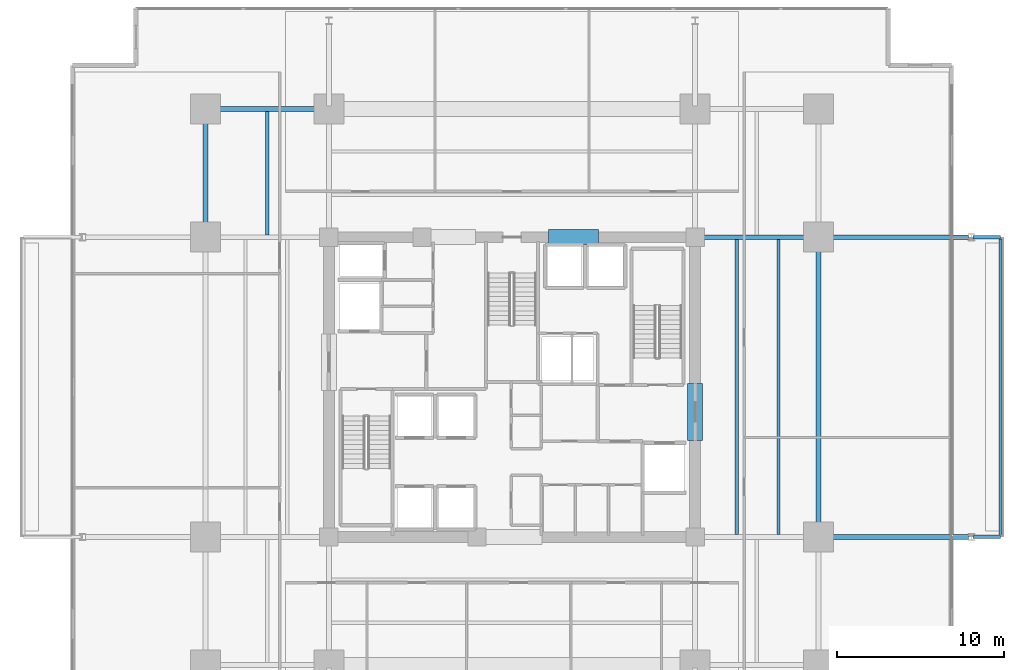
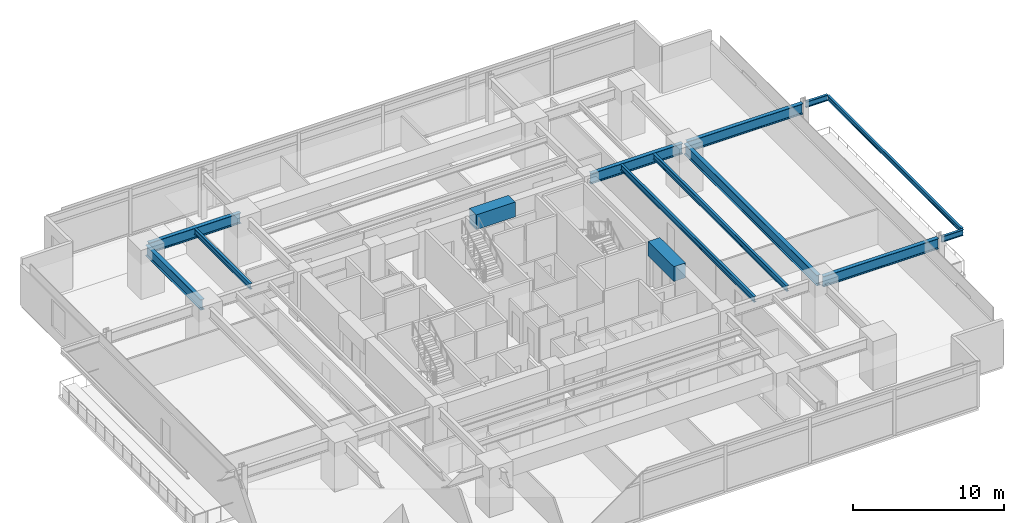
# One storey, part 8 of 22: 14 beams.
"""IFC4 building model written with IfcOpenShell, lengths in metres."""

import ifcopenshell
import ifcopenshell.guid

model = None  # the IFC model being written
_history = None  # IfcOwnerHistory: only IFC2X3 demands one
_inside = {}  # id of a spatial element -> (the spatial element, [elements in it])
_under = {}  # id of a project, library or spatial element -> (it, [spatial elements below it])
_declared = {}  # id of a project -> (the project, [libraries it declares])
_typed = {}  # id of a type object -> (the type object, [elements of that type])
_made_of = {}  # id of a material, layer set ... -> (it, [elements and type objects made of it])


def new_model(schema):
    """Start an empty IFC model of exactly this schema.

    Asked for "IFC4X3", IfcOpenShell would pick the latest addendum, in which some entities
    have other attributes; the version numbers below select the first issue.
    IFC2X3 requires an IfcOwnerHistory on every rooted entity: one is made here for all.
    """
    global model, _history
    if schema == "IFC4X3":
        model = ifcopenshell.file(schema_version=(4, 3, 0, 0))
    else:
        model = ifcopenshell.file(schema=schema)
    _inside.clear()
    _under.clear()
    _declared.clear()
    _typed.clear()
    _made_of.clear()
    _history = None
    if model.schema == "IFC2X3":
        org = make("IfcOrganization", Name="unknown")
        user = make(
            "IfcPersonAndOrganization",
            ThePerson=make("IfcPerson", FamilyName="unknown"),
            TheOrganization=org,
        )
        app = make(
            "IfcApplication",
            ApplicationDeveloper=org,
            Version="unknown",
            ApplicationFullName="unknown",
            ApplicationIdentifier="unknown",
        )
        _history = make(
            "IfcOwnerHistory",
            OwningUser=user,
            OwningApplication=app,
            ChangeAction="ADDED",
            CreationDate=0,
        )
    return model


def make(cls, **values):
    """One entity of the class cls with the attributes given. An attribute that is None is left unset."""
    return model.create_entity(
        cls, **{name: value for name, value in values.items() if value is not None}
    )


def rooted(cls, **values):
    """An entity with a GlobalId (a new one), such as an element, a storey or a relation."""
    return make(cls, GlobalId=ifcopenshell.guid.new(), OwnerHistory=_history, **values)


def si_unit(unit_type, name, prefix=None):
    """IfcSIUnit, for example si_unit("LENGTHUNIT", "METRE", prefix="MILLI")."""
    return make("IfcSIUnit", UnitType=unit_type, Prefix=prefix, Name=name)


def assignment(units):
    """IfcUnitAssignment: the units of a project."""
    return None if units is None else make("IfcUnitAssignment", Units=units)


def point(xyz):
    """IfcCartesianPoint."""
    return None if xyz is None else make("IfcCartesianPoint", Coordinates=xyz)


def direction(xyz):
    """IfcDirection."""
    return None if xyz is None else make("IfcDirection", DirectionRatios=xyz)


def frame(location, z_axis=None, x_axis=None):
    """IfcAxis2Placement3D, a coordinate frame: its origin and axes. An axis left out is left unset."""
    return make(
        "IfcAxis2Placement3D",
        Location=point(location),
        Axis=direction(z_axis),
        RefDirection=direction(x_axis),
    )


def frame_2d(location, x_axis=None):
    """IfcAxis2Placement2D, a coordinate frame in the plane: its origin and x axis."""
    return make(
        "IfcAxis2Placement2D", Location=point(location), RefDirection=direction(x_axis)
    )


def origin():
    """The frame at (0, 0, 0) with its axes left unset."""
    return frame((0.0, 0.0, 0.0))


def origin_2d():
    """The frame at (0, 0) in the plane with its x axis left unset."""
    return frame_2d((0.0, 0.0))


def place(relative_to, where):
    """IfcLocalPlacement: puts the frame where relative to a parent placement (None: the world)."""
    return make(
        "IfcLocalPlacement", PlacementRelTo=relative_to, RelativePlacement=where
    )


def context(
    kind, dimensions, precision=None, world=None, true_north=None, identifier=None
):
    """IfcGeometricRepresentationContext, for example the 3D "Model" context."""
    return make(
        "IfcGeometricRepresentationContext",
        ContextIdentifier=identifier,
        ContextType=kind,
        CoordinateSpaceDimension=dimensions,
        Precision=precision,
        WorldCoordinateSystem=world,
        TrueNorth=true_north,
    )


def subcontext(parent, identifier, kind, view, scale=None):
    """IfcGeometricRepresentationSubContext, for example "Body" below "Model"."""
    return make(
        "IfcGeometricRepresentationSubContext",
        ContextIdentifier=identifier,
        ContextType=kind,
        ParentContext=parent,
        TargetScale=scale,
        TargetView=view,
    )


def project(units=None, contexts=None):
    """IfcProject with its units and contexts."""
    return rooted(
        "IfcProject",
        Name="project",
        RepresentationContexts=contexts,
        UnitsInContext=assignment(units),
    )


def spatial(cls, under=None, at=None, **own):
    """A site, building, storey or space (cls), placed at a placement, below another one or the project."""
    s = rooted(cls, ObjectPlacement=at, **own)
    if under is not None:
        _under.setdefault(under.id(), (under, []))[1].append(s)
    return s


def profile(cls, at=None, kind="AREA", **sizes):
    """A parametric profile (cls). Its sizes go by their IFC names, for example OverallWidth=200.0."""
    return make(cls, ProfileType=kind, Position=at, **sizes)


def rectangle(**sizes):
    """IfcRectangleProfileDef."""
    return profile("IfcRectangleProfileDef", **sizes)


def i_section(**sizes):
    """IfcIShapeProfileDef."""
    return profile("IfcIShapeProfileDef", **sizes)


def extrude(swept, where, along, depth):
    """IfcExtrudedAreaSolid: the profile swept, set in the frame where, extruded along a direction by depth."""
    return make(
        "IfcExtrudedAreaSolid",
        SweptArea=swept,
        Position=where,
        ExtrudedDirection=direction(along),
        Depth=depth,
    )


def shape(context_of_items, identifier, shape_type, items):
    """IfcShapeRepresentation: the items that make up one representation, for example the "Body"."""
    return make(
        "IfcShapeRepresentation",
        ContextOfItems=context_of_items,
        RepresentationIdentifier=identifier,
        RepresentationType=shape_type,
        Items=items,
    )


def material(Name=None, Category=None):
    """IfcMaterial."""
    return make("IfcMaterial", Name=Name, Category=Category)


def material_profile(
    of_material, cross_section, Name=None, Category=None, Priority=None
):
    """IfcMaterialProfile: a cross section and its material."""
    return make(
        "IfcMaterialProfile",
        Name=Name,
        Material=of_material,
        Profile=cross_section,
        Priority=Priority,
        Category=Category,
    )


def profile_set(profiles, Name=None, composite=None):
    """IfcMaterialProfileSet."""
    return make(
        "IfcMaterialProfileSet",
        Name=Name,
        MaterialProfiles=profiles,
        CompositeProfile=composite,
    )


def made_of(thing, what):
    """Note that an element or type object is made of a material, layer set ...; save() writes the relation."""
    if what is not None:
        _made_of.setdefault(what.id(), (what, []))[1].append(thing)
    return thing


def type_object(cls, material=None, **own):
    """A type object (cls), such as IfcWallType, which elements share."""
    return made_of(rooted(cls, **own), material)


def element(
    cls,
    number,
    at=None,
    inside=None,
    cuts=None,
    type_object=None,
    material=None,
    context=None,
    identifier="Body",
    shape_type=None,
    held_by="IfcProductDefinitionShape",
    body=None,
    shapes=None,
    **own,
):
    """One element of the class cls, such as IfcWall. Its Tag is "e" and its number.

    at: its placement. inside: the storey or other place that contains it. cuts: it is an
    opening in that element (IfcRelVoidsElement). A single representation is given by context,
    identifier, shape_type and body (its items); several are given by shapes. held_by: the class
    of the entity that holds the representations. save() writes the other relations.
    """
    e = rooted(cls, Tag="e%d" % number, ObjectPlacement=at, **own)
    if body is not None:
        shapes = [shape(context, identifier, shape_type, body)]
    if shapes is not None:
        e.Representation = make(held_by, Representations=shapes)
    if inside is not None:
        _inside.setdefault(inside.id(), (inside, []))[1].append(e)
    if cuts is not None:
        rooted(
            "IfcRelVoidsElement", RelatingBuildingElement=cuts, RelatedOpeningElement=e
        )
    if type_object is not None:
        _typed.setdefault(type_object.id(), (type_object, []))[1].append(e)
    return made_of(e, material)


def aggregate(whole, parts):
    """IfcRelAggregates: a whole, such as a stair, and the parts it consists of."""
    return rooted("IfcRelAggregates", RelatingObject=whole, RelatedObjects=parts)


def save(model, path):
    """Write the relations noted so far, then the file.

    IfcRelAggregates (storeys below a building ...), IfcRelContainedInSpatialStructure (elements
    in a storey), IfcRelDefinesByType, IfcRelAssociatesMaterial and IfcRelDeclares: one each for
    every whole, place, type object, material and project.
    """
    for whole, parts in _under.values():
        aggregate(whole, parts)
    for where, things in _inside.values():
        rooted(
            "IfcRelContainedInSpatialStructure",
            RelatedElements=things,
            RelatingStructure=where,
        )
    for kind, things in _typed.values():
        rooted("IfcRelDefinesByType", RelatedObjects=things, RelatingType=kind)
    for what, things in _made_of.values():
        rooted("IfcRelAssociatesMaterial", RelatedObjects=things, RelatingMaterial=what)
    for by, libraries in _declared.values():
        rooted("IfcRelDeclares", RelatingContext=by, RelatedDefinitions=libraries)
    model.write(path)


model = new_model("IFC4")

# Units and contexts
model_context = context("Model", 3, precision=1e-05, world=origin(), true_north=direction((0.0, 1.0)))
body_context = subcontext(model_context, "Body", "Model", "MODEL_VIEW")
ifc_project = project(units=[si_unit("LENGTHUNIT", "METRE"), si_unit("AREAUNIT", "SQUARE_METRE"), si_unit("VOLUMEUNIT", "CUBIC_METRE"), si_unit("PLANEANGLEUNIT", "RADIAN"), si_unit("MASSUNIT", "GRAM", prefix="KILO")], contexts=[model_context])

# Site, building, storey
site_placement = place(None, origin())
site = spatial("IfcSite", under=ifc_project, at=site_placement, CompositionType="ELEMENT")
building_placement = place(site_placement, origin())
building = spatial("IfcBuilding", under=site, at=building_placement, Name="Kovane Verandah Tower", CompositionType="ELEMENT")
storey_placement = place(building_placement, frame((0.0, 0.0, 99.60009765625)))
storey = spatial("IfcBuildingStorey", under=building, at=storey_placement, Name="L23", CompositionType="ELEMENT", Elevation=99.60009765625)

# Beams
ifc_material_1 = material(Name="Concrete C80/95", Category="concrete")
ifc_material_profile_1 = material_profile(ifc_material_1, rectangle(XDim=0.89990234375, YDim=1.199951171875, at=origin_2d()), Name="RCB900x1200")
ifc_profile_set_1 = profile_set([ifc_material_profile_1], Name="Concrete C80/95")
beam_type_1 = type_object("IfcBeamType", Name="BM-LINTEL-900x1200", PredefinedType="LINTEL", material=ifc_profile_set_1)
beam_1_placement = place(storey_placement, frame((42.199951171875, 36.5, 3.159912109375), z_axis=(1.0, 0.0, 0.0), x_axis=(0.0, 1.0, 0.0)))
element("IfcBeam", 1, at=beam_1_placement, inside=storey, type_object=beam_type_1, Name="L23 Core Coupling Lintel CL-N2", PredefinedType="LINTEL", context=body_context, shape_type="SweptSolid", body=[
    extrude(rectangle(XDim=0.89990234375, YDim=1.199951171875, at=origin_2d()), origin(), (0.0, 0.0, 1.0), 3.0),
])
beam_2_placement = place(storey_placement, frame((51.0, 24.300048828125, 3.159912109375), z_axis=(0.0, 1.0, 0.0), x_axis=(-1.0, 0.0, 0.0)))
element("IfcBeam", 2, at=beam_2_placement, inside=storey, type_object=beam_type_1, Name="L23 Core Coupling Lintel CL-E", PredefinedType="LINTEL", context=body_context, shape_type="SweptSolid", body=[
    extrude(rectangle(XDim=0.89990234375, YDim=1.199951171875, at=origin_2d()), origin(), (0.0, 0.0, 1.0), 3.39990234375),
])
ifc_material_2 = material(Name="Steel S355", Category="steel")
ifc_material_profile_2 = material_profile(ifc_material_2, i_section(OverallWidth=0.293701171875, OverallDepth=0.850830078125, WebThickness=0.01611328125, FlangeThickness=0.02685546875, FilletRadius=0.017822265625, at=origin_2d()), Name="UB838x292x226")
ifc_profile_set_2 = profile_set([ifc_material_profile_2], Name="Steel S355")
beam_type_2 = type_object("IfcBeamType", Name="BM-UB838x226", PredefinedType="BEAM", material=ifc_profile_set_2)
beam_3_placement = place(storey_placement, frame((21.780029296875, 44.199951171875, 3.33447265625), z_axis=(1.0, 0.0, 0.0), x_axis=(0.0, 1.0, 0.0)))
element("IfcBeam", 3, at=beam_3_placement, inside=storey, type_object=beam_type_2, Name="L23 Primary Tower Girder G-RN1", PredefinedType="BEAM", context=body_context, shape_type="SweptSolid", body=[
    extrude(i_section(OverallWidth=0.293701171875, OverallDepth=0.850830078125, WebThickness=0.01611328125, FlangeThickness=0.02685546875, FilletRadius=0.017822265625, at=origin_2d()), origin(), (0.0, 0.0, 1.0), 7.0400390625),
])
beam_4_placement = place(storey_placement, frame((21.60009765625, 36.679931640625, 3.33447265625), z_axis=(0.0, 1.0, 0.0), x_axis=(-1.0, 0.0, 0.0)))
element("IfcBeam", 4, at=beam_4_placement, inside=storey, type_object=beam_type_2, Name="L23 Primary Tower Girder G-RW3", PredefinedType="BEAM", context=body_context, shape_type="SweptSolid", body=[
    extrude(i_section(OverallWidth=0.293701171875, OverallDepth=0.850830078125, WebThickness=0.01611328125, FlangeThickness=0.02685546875, FilletRadius=0.017822265625, at=origin_2d()), origin(), (0.0, 0.0, 1.0), 7.340087890625),
])
beam_5_placement = place(storey_placement, frame((58.39990234375, 18.679931640625, 3.33447265625), z_axis=(0.0, 1.0, 0.0), x_axis=(-1.0, 0.0, 0.0)))
element("IfcBeam", 5, at=beam_5_placement, inside=storey, type_object=beam_type_2, Name="L23 Primary Tower Girder G-RE2", PredefinedType="BEAM", context=body_context, shape_type="SweptSolid", body=[
    extrude(i_section(OverallWidth=0.293701171875, OverallDepth=0.850830078125, WebThickness=0.01611328125, FlangeThickness=0.02685546875, FilletRadius=0.017822265625, at=origin_2d()), origin(), (0.0, 0.0, 1.0), 17.64013671875),
])
beam_6_placement = place(storey_placement, frame((51.179931640625, 36.5, 3.33447265625), z_axis=(1.0, 0.0, 0.0), x_axis=(0.0, 1.0, 0.0)))
element("IfcBeam", 6, at=beam_6_placement, inside=storey, type_object=beam_type_2, Name="L23 Primary Tower Girder G-E2", PredefinedType="BEAM", context=body_context, shape_type="SweptSolid", body=[
    extrude(i_section(OverallWidth=0.293701171875, OverallDepth=0.850830078125, WebThickness=0.01611328125, FlangeThickness=0.02685546875, FilletRadius=0.017822265625, at=origin_2d()), origin(), (0.0, 0.0, 1.0), 7.0400390625),
])
for number, where, z_axis, x_axis, name in (
    (7, (58.580078125, 18.5, 3.33447265625), (1.0, 0.0, 0.0), (0.0, 1.0, 0.0), "L23 Primary Tower Girder G-VE1"),
    (8, (58.580078125, 36.5, 3.33447265625), (1.0, 0.0, 0.0), (0.0, 1.0, 0.0), "L23 Primary Tower Girder G-VE2"),
):
    element("IfcBeam", number, at=place(storey_placement, frame(where, z_axis=z_axis, x_axis=x_axis)), inside=storey, type_object=beam_type_2, Name=name, PredefinedType="BEAM", context=body_context, shape_type="SweptSolid", body=[
        extrude(i_section(OverallWidth=0.293701171875, OverallDepth=0.850830078125, WebThickness=0.01611328125, FlangeThickness=0.02685546875, FilletRadius=0.017822265625, at=origin_2d()), origin(), (0.0, 0.0, 1.0), 8.83984375),
    ])
ifc_material_profile_3 = material_profile(ifc_material_2, i_section(OverallWidth=0.19287109375, OverallDepth=0.46728515625, WebThickness=0.011474609375, FlangeThickness=0.01953125, FilletRadius=0.01025390625, at=origin_2d()), Name="UB457x191x98")
ifc_profile_set_3 = profile_set([ifc_material_profile_3], Name="Steel S355")
beam_type_3 = type_object("IfcBeamType", Name="JST-UB457x98", PredefinedType="JOIST", material=ifc_profile_set_3)
for number, where, z_axis, x_axis, name in (
    (9, (53.5, 18.64501953125, 3.5263671875), (0.0, 1.0, 0.0), (-1.0, 0.0, 0.0), "L23 Secondary Composite Joist J-E1"),
    (10, (56.0, 18.64501953125, 3.5263671875), (0.0, 1.0, 0.0), (-1.0, 0.0, 0.0), "L23 Secondary Composite Joist J-E2"),
):
    element("IfcBeam", number, at=place(storey_placement, frame(where, z_axis=z_axis, x_axis=x_axis)), inside=storey, type_object=beam_type_3, Name=name, PredefinedType="JOIST", context=body_context, shape_type="SweptSolid", body=[
        extrude(i_section(OverallWidth=0.19287109375, OverallDepth=0.46728515625, WebThickness=0.011474609375, FlangeThickness=0.01953125, FilletRadius=0.01025390625, at=origin_2d()), origin(), (0.0, 0.0, 1.0), 17.7099609375),
    ])
beam_7_placement = place(storey_placement, frame((25.300048828125, 36.64501953125, 3.5263671875), z_axis=(0.0, 1.0, 0.0), x_axis=(-1.0, 0.0, 0.0)))
element("IfcBeam", 11, at=beam_7_placement, inside=storey, type_object=beam_type_3, Name="L23 Secondary Composite Joist J-NW1", PredefinedType="JOIST", context=body_context, shape_type="SweptSolid", body=[
    extrude(i_section(OverallWidth=0.19287109375, OverallDepth=0.46728515625, WebThickness=0.011474609375, FlangeThickness=0.01953125, FilletRadius=0.01025390625, at=origin_2d()), origin(), (0.0, 0.0, 1.0), 7.41015625),
])
for number, where, z_axis, x_axis, name in (
    (12, (67.679931640625, 18.5, 3.5263671875), (1.0, 0.0, 0.0), (0.0, 1.0, 0.0), "L23 East Planter Girder 1"),
    (13, (67.679931640625, 36.5, 3.5263671875), (1.0, 0.0, 0.0), (0.0, 1.0, 0.0), "L23 East Planter Girder 2"),
):
    element("IfcBeam", number, at=place(storey_placement, frame(where, z_axis=z_axis, x_axis=x_axis)), inside=storey, type_object=beam_type_3, Name=name, PredefinedType="JOIST", context=body_context, shape_type="SweptSolid", body=[
        extrude(i_section(OverallWidth=0.19287109375, OverallDepth=0.46728515625, WebThickness=0.011474609375, FlangeThickness=0.01953125, FilletRadius=0.01025390625, at=origin_2d()), origin(), (0.0, 0.0, 1.0), 1.668701171875),
    ])
ifc_material_profile_4 = material_profile(ifc_material_2, i_section(OverallWidth=0.173095703125, OverallDepth=0.36328125, WebThickness=0.009033203125, FlangeThickness=0.015625, FilletRadius=0.01025390625, at=origin_2d()), Name="UB356x171x67")
ifc_profile_set_4 = profile_set([ifc_material_profile_4], Name="Steel S355")
beam_type_4 = type_object("IfcBeamType", Name="SPD-UB356x67", PredefinedType="USERDEFINED", material=ifc_profile_set_4)
beam_8_placement = place(storey_placement, frame((69.3486328125, 18.594482421875, 3.578125), z_axis=(0.0, 1.0, 0.0), x_axis=(-1.0, 0.0, 0.0)))
element("IfcBeam", 14, at=beam_8_placement, inside=storey, type_object=beam_type_4, Name="L23 East Planter Edge Spandrel", ObjectType="SPANDREL", PredefinedType="USERDEFINED", context=body_context, shape_type="SweptSolid", body=[
    extrude(i_section(OverallWidth=0.173095703125, OverallDepth=0.36328125, WebThickness=0.009033203125, FlangeThickness=0.015625, FilletRadius=0.01025390625, at=origin_2d()), origin(), (0.0, 0.0, 1.0), 17.81103515625),
])

save(model, "model.ifc")
